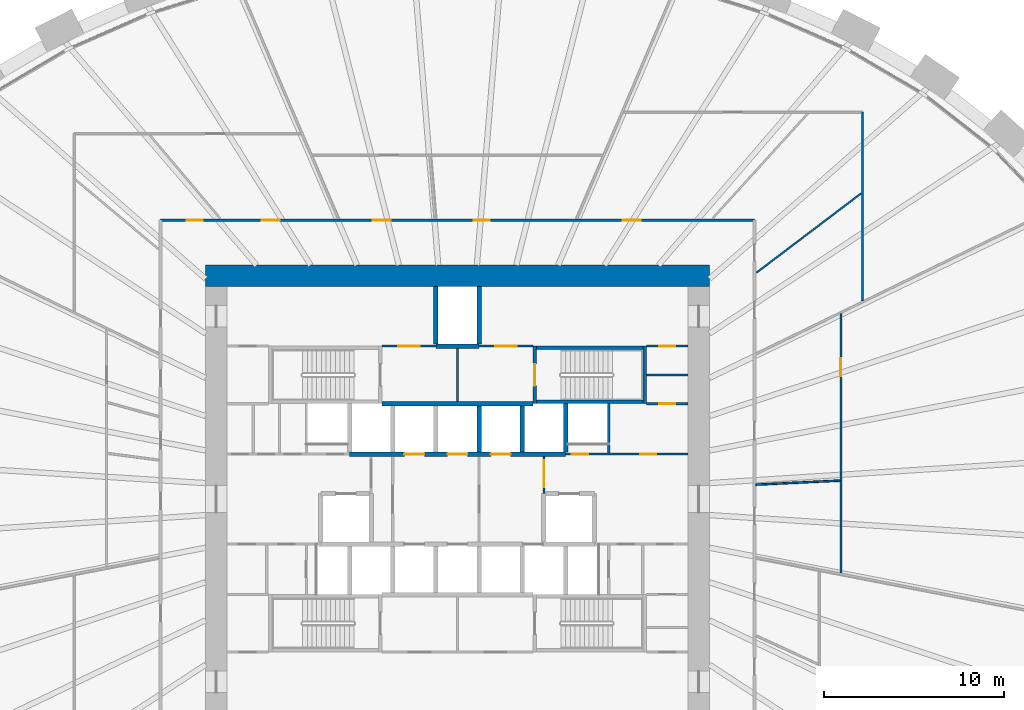
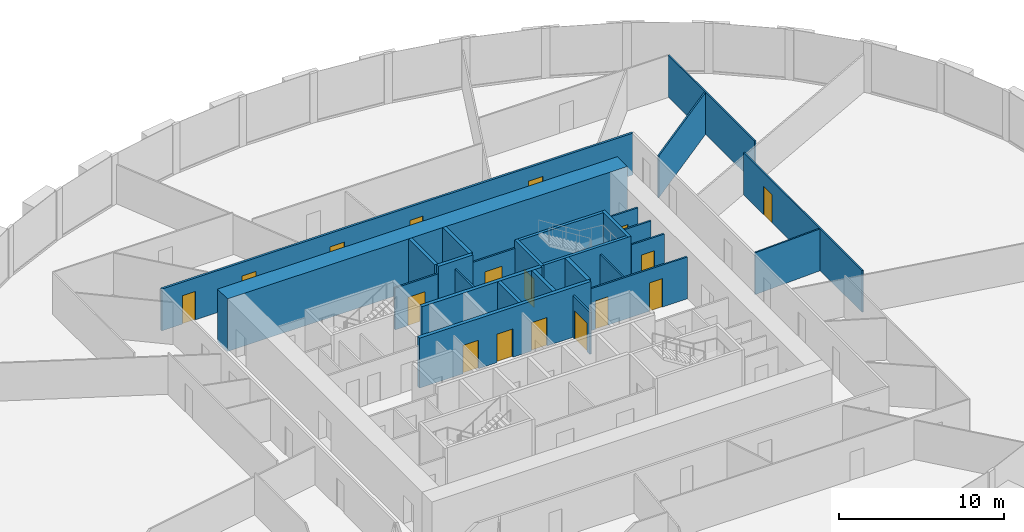
# One storey, part 9 of 11: 27 walls, 17 doors, 17 openings.
"""IFC4 building model written with IfcOpenShell, lengths in metres."""

from ifc_helpers import new_model, si_unit, direction, frame, frame_2d, origin, place, context, subcontext, project, spatial, rectangle, extrude, source, transform, mapped, material, layer, layer_set, type_object, element, fill, save


model = new_model("IFC4")

# Units and contexts
model_context = context("Model", 3, precision=1e-05, world=origin(), true_north=direction((0.0, 1.0)))
body_context = subcontext(model_context, "Body", "Model", "MODEL_VIEW")
ifc_project = project(units=[si_unit("LENGTHUNIT", "METRE"), si_unit("AREAUNIT", "SQUARE_METRE"), si_unit("VOLUMEUNIT", "CUBIC_METRE"), si_unit("PLANEANGLEUNIT", "RADIAN"), si_unit("MASSUNIT", "GRAM", prefix="KILO")], contexts=[model_context])

# Site, building, storey
site_placement = place(None, origin())
site = spatial("IfcSite", under=ifc_project, at=site_placement, CompositionType="ELEMENT")
building_placement = place(site_placement, origin())
building = spatial("IfcBuilding", under=site, at=building_placement, Name="Embergate Tower", CompositionType="ELEMENT")
storey_placement = place(building_placement, frame((0.0, 0.0, 109.39990234375)))
storey = spatial("IfcBuildingStorey", under=building, at=storey_placement, Name="L23", CompositionType="ELEMENT", Elevation=109.39990234375)

# Wall
ifc_material_1 = material(Name="Concrete C80", Category="concrete")
ifc_layer_1 = layer(ifc_material_1, 1.199951171875)
ifc_layer_set_1 = layer_set([ifc_layer_1], Name="Concrete C80")
wall_type_1 = type_object("IfcWallType", Name="Core outer wall C80 1200", PredefinedType="SHEAR", material=ifc_layer_set_1)
shared_shape_1 = source(origin(), body_context, "Body", "SweptSolid", [
    extrude(rectangle(XDim=28.0, YDim=1.199951171875, at=frame_2d((14.0, 0.0))), origin(), (0.0, 0.0, 1.0), 3.900146484375),
])
wall_1_placement = place(storey_placement, frame((-14.0, 12.39990234375, -0.199951171875), z_axis=(0.0, 0.0, 1.0), x_axis=(1.0, 0.0, 0.0)))
element("IfcWall", 1, at=wall_1_placement, inside=storey, type_object=wall_type_1, Name="CW-L23-N", PredefinedType="SHEAR", context=body_context, shape_type="MappedRepresentation", body=[
    mapped(shared_shape_1, transform((0.0, 0.0, 0.0))),
])

# Wall, openings, doors
ifc_material_2 = material(Name="Core partition blockwork 120")
ifc_layer_2 = layer(ifc_material_2, 0.1201171875)
ifc_layer_set_2 = layer_set([ifc_layer_2], Name="Core partition blockwork 120")
wall_type_2 = type_object("IfcWallType", Name="Core partition blockwork 120", PredefinedType="PARTITIONING", material=ifc_layer_set_2)
shared_shape_2 = source(origin(), body_context, "Body", "SweptSolid", [
    extrude(rectangle(XDim=6.800048828125, YDim=0.1201171875, at=frame_2d((3.39990234375, 0.0))), origin(), (0.0, 0.0, 1.0), 3.10009765625),
])
wall_2_placement = place(storey_placement, frame((6.0, 2.5, 0.0), z_axis=(0.0, 0.0, 1.0), x_axis=(1.0, 0.0, 0.0)))
wall_2 = element("IfcWall", 2, at=wall_2_placement, inside=storey, type_object=wall_type_2, Name="IP-3 wall", PredefinedType="PARTITIONING", context=body_context, shape_type="MappedRepresentation", body=[
    mapped(shared_shape_2, transform((0.0, 0.0, 0.0))),
])
shared_shape_3 = source(origin(), body_context, "Body", "SweptSolid", [
    extrude(rectangle(XDim=0.89990234375, YDim=2.10009765625, at=frame_2d((0.449951171875, 1.050048828125))), frame((0.0, 0.070068359375, 0.0), z_axis=(0.0, -1.0, 0.0), x_axis=(1.0, 0.0, 0.0)), (0.0, 0.0, 1.0), 0.14013671875),
])
opening_1_placement = place(wall_2_placement, frame((0.35009765625, 0.0, 0.0)))
opening_1 = element("IfcOpeningElement", 3, at=opening_1_placement, cuts=wall_2, Name="Opening ID-1", PredefinedType="OPENING", context=body_context, shape_type="MappedRepresentation", body=[
    mapped(shared_shape_3, transform((0.0, 0.0, 0.0))),
])
opening_2_placement = place(wall_2_placement, frame((4.14990234375, 0.0, 0.0)))
opening_2 = element("IfcOpeningElement", 4, at=opening_2_placement, cuts=wall_2, Name="Opening ID-1", PredefinedType="OPENING", context=body_context, shape_type="MappedRepresentation", body=[
    mapped(shared_shape_3, transform((0.0, 0.0, 0.0))),
])
ifc_material_3 = material(Name="Interior door 900")
door_type_1 = type_object("IfcDoorType", Name="Interior door 900", OperationType="SINGLE_SWING_LEFT", PredefinedType="DOOR", material=ifc_material_3)
shared_shape_4 = source(origin(), body_context, "Body", "SweptSolid", [
    extrude(rectangle(XDim=0.89990234375, YDim=2.10009765625, at=frame_2d((0.449951171875, 1.050048828125))), frame((0.0, 0.02490234375, 0.0), z_axis=(0.0, -1.0, 0.0), x_axis=(1.0, 0.0, 0.0)), (0.0, 0.0, 1.0), 0.050048828125),
])
door_1_placement = place(opening_1_placement, origin())
door_1 = element("IfcDoor", 5, at=door_1_placement, inside=storey, type_object=door_type_1, Name="ID-1 door", OperationType="SINGLE_SWING_RIGHT", OverallHeight=2.10009765625, OverallWidth=0.89990234375, PredefinedType="DOOR", context=body_context, shape_type="MappedRepresentation", body=[
    mapped(shared_shape_4, transform((0.0, 0.0, 0.0))),
])
fill(opening_1, door_1)
door_2_placement = place(opening_2_placement, origin())
door_2 = element("IfcDoor", 6, at=door_2_placement, inside=storey, type_object=door_type_1, Name="ID-1 door", OperationType="SINGLE_SWING_LEFT", OverallHeight=2.10009765625, OverallWidth=0.89990234375, PredefinedType="DOOR", context=body_context, shape_type="MappedRepresentation", body=[
    mapped(shared_shape_4, transform((0.0, 0.0, 0.0))),
])
fill(opening_2, door_2)

# Wall
shared_shape_5 = source(origin(), body_context, "Body", "SweptSolid", [
    extrude(rectangle(XDim=2.739990234375, YDim=0.1201171875, at=frame_2d((1.3701171875, 0.0))), origin(), (0.0, 0.0, 1.0), 3.10009765625),
])
wall_3_placement = place(storey_placement, frame((8.39990234375, 2.56005859375, 0.0), z_axis=(0.0, 0.0, 1.0), x_axis=(0.0, 1.0, 0.0)))
element("IfcWall", 7, at=wall_3_placement, inside=storey, type_object=wall_type_2, Name="IP-3 wall", PredefinedType="PARTITIONING", context=body_context, shape_type="MappedRepresentation", body=[
    mapped(shared_shape_5, transform((0.0, 0.0, 0.0))),
])

# Wall, opening, door
shared_shape_6 = source(origin(), body_context, "Body", "SweptSolid", [
    extrude(rectangle(XDim=2.074951171875, YDim=0.1201171875, at=frame_2d((1.03759765625, 0.0))), origin(), (0.0, 0.0, 1.0), 3.10009765625),
])
wall_4_placement = place(storey_placement, frame((4.800048828125, 0.300048828125, 0.0), z_axis=(0.0, 0.0, 1.0), x_axis=(0.0, 1.0, 0.0)))
wall_4 = element("IfcWall", 8, at=wall_4_placement, inside=storey, type_object=wall_type_2, Name="IP-3 wall", PredefinedType="PARTITIONING", context=body_context, shape_type="MappedRepresentation", body=[
    mapped(shared_shape_6, transform((0.0, 0.0, 0.0))),
])
shared_shape_7 = source(origin(), body_context, "Body", "SweptSolid", [
    extrude(rectangle(XDim=1.5, YDim=2.10009765625, at=frame_2d((0.75, 1.050048828125))), frame((0.0, 0.070068359375, 0.0), z_axis=(0.0, -1.0, 0.0), x_axis=(1.0, 0.0, 0.0)), (0.0, 0.0, 1.0), 0.14013671875),
])
opening_3_placement = place(wall_4_placement, frame((0.35009765625, 0.0, 0.0)))
opening_3 = element("IfcOpeningElement", 9, at=opening_3_placement, cuts=wall_4, Name="Opening IF-3", PredefinedType="OPENING", context=body_context, shape_type="MappedRepresentation", body=[
    mapped(shared_shape_7, transform((0.0, 0.0, 0.0))),
])
ifc_material_4 = material(Name="Lobby fire door pair 1500")
door_type_2 = type_object("IfcDoorType", Name="Lobby fire door pair 1500", OperationType="DOUBLE_DOOR_SINGLE_SWING", PredefinedType="DOOR", material=ifc_material_4)
shared_shape_8 = source(origin(), body_context, "Body", "SweptSolid", [
    extrude(rectangle(XDim=1.5, YDim=2.10009765625, at=frame_2d((0.75, 1.050048828125))), frame((0.0, 0.02490234375, 0.0), z_axis=(0.0, -1.0, 0.0), x_axis=(1.0, 0.0, 0.0)), (0.0, 0.0, 1.0), 0.050048828125),
])
door_3_placement = place(opening_3_placement, origin())
door_3 = element("IfcDoor", 10, at=door_3_placement, inside=storey, type_object=door_type_2, Name="IF-3 door", OperationType="DOUBLE_DOOR_SINGLE_SWING", OverallHeight=2.10009765625, OverallWidth=1.5, PredefinedType="DOOR", context=body_context, shape_type="MappedRepresentation", body=[
    mapped(shared_shape_8, transform((0.0, 0.0, 0.0))),
])
fill(opening_3, door_3)

# Wall
shared_shape_9 = source(origin(), body_context, "Body", "SweptSolid", [
    extrude(rectangle(XDim=2.949951171875, YDim=0.1201171875, at=frame_2d((1.47509765625, 0.0))), origin(), (0.0, 0.0, 1.0), 3.10009765625),
])
wall_5_placement = place(storey_placement, frame((0.0, 5.425048828125, 0.0), z_axis=(0.0, 0.0, 1.0), x_axis=(0.0, 1.0, 0.0)))
element("IfcWall", 11, at=wall_5_placement, inside=storey, type_object=wall_type_2, Name="IP-3 wall", PredefinedType="PARTITIONING", context=body_context, shape_type="MappedRepresentation", body=[
    mapped(shared_shape_9, transform((0.0, 0.0, 0.0))),
])

# Wall, opening, door
shared_shape_10 = source(origin(), body_context, "Body", "SweptSolid", [
    extrude(rectangle(XDim=3.0, YDim=0.1201171875, at=frame_2d((1.5, 0.0))), origin(), (0.0, 0.0, 1.0), 3.10009765625),
])
wall_6_placement = place(storey_placement, frame((-1.199951171875, 8.5, 0.0), z_axis=(0.0, 0.0, 1.0), x_axis=(-1.0, 0.0, 0.0)))
wall_6 = element("IfcWall", 12, at=wall_6_placement, inside=storey, type_object=wall_type_2, Name="IP-3 wall", PredefinedType="PARTITIONING", context=body_context, shape_type="MappedRepresentation", body=[
    mapped(shared_shape_10, transform((0.0, 0.0, 0.0))),
])
shared_shape_11 = source(origin(), body_context, "Body", "SweptSolid", [
    extrude(rectangle(XDim=1.199951171875, YDim=2.10009765625, at=frame_2d((0.60009765625, 1.050048828125))), frame((0.0, 0.070068359375, 0.0), z_axis=(0.0, -1.0, 0.0), x_axis=(1.0, 0.0, 0.0)), (0.0, 0.0, 1.0), 0.14013671875),
])
opening_4_placement = place(wall_6_placement, frame((0.89990234375, 0.0, 0.0)))
opening_4 = element("IfcOpeningElement", 13, at=opening_4_placement, cuts=wall_6, Name="Opening IF-3f", PredefinedType="OPENING", context=body_context, shape_type="MappedRepresentation", body=[
    mapped(shared_shape_11, transform((0.0, 0.0, 0.0))),
])
ifc_material_5 = material(Name="Lobby fire door pair 1200")
door_type_3 = type_object("IfcDoorType", Name="Lobby fire door pair 1200", OperationType="DOUBLE_DOOR_SINGLE_SWING", PredefinedType="DOOR", material=ifc_material_5)
shared_shape_12 = source(origin(), body_context, "Body", "SweptSolid", [
    extrude(rectangle(XDim=1.199951171875, YDim=2.10009765625, at=frame_2d((0.60009765625, 1.050048828125))), frame((0.0, 0.02490234375, 0.0), z_axis=(0.0, -1.0, 0.0), x_axis=(1.0, 0.0, 0.0)), (0.0, 0.0, 1.0), 0.050048828125),
])
door_4_placement = place(opening_4_placement, origin())
door_4 = element("IfcDoor", 14, at=door_4_placement, inside=storey, type_object=door_type_3, Name="IF-3 door", OperationType="DOUBLE_DOOR_SINGLE_SWING", OverallHeight=2.10009765625, OverallWidth=1.199951171875, PredefinedType="DOOR", context=body_context, shape_type="MappedRepresentation", body=[
    mapped(shared_shape_12, transform((0.0, 0.0, 0.0))),
])
fill(opening_4, door_4)

wall_7_placement = place(storey_placement, frame((4.199951171875, 8.5, 0.0), z_axis=(0.0, 0.0, 1.0), x_axis=(-1.0, 0.0, 0.0)))
wall_7 = element("IfcWall", 15, at=wall_7_placement, inside=storey, type_object=wall_type_2, Name="IP-3 wall", PredefinedType="PARTITIONING", context=body_context, shape_type="MappedRepresentation", body=[
    mapped(shared_shape_10, transform((0.0, 0.0, 0.0))),
])
opening_5_placement = place(wall_7_placement, frame((0.89990234375, 0.0, 0.0)))
opening_5 = element("IfcOpeningElement", 16, at=opening_5_placement, cuts=wall_7, Name="Opening IF-3f", PredefinedType="OPENING", context=body_context, shape_type="MappedRepresentation", body=[
    mapped(shared_shape_11, transform((0.0, 0.0, 0.0))),
])
door_5_placement = place(opening_5_placement, origin())
door_5 = element("IfcDoor", 17, at=door_5_placement, inside=storey, type_object=door_type_3, Name="IF-3 door", OperationType="DOUBLE_DOOR_SINGLE_SWING", OverallHeight=2.10009765625, OverallWidth=1.199951171875, PredefinedType="DOOR", context=body_context, shape_type="MappedRepresentation", body=[
    mapped(shared_shape_12, transform((0.0, 0.0, 0.0))),
])
fill(opening_5, door_5)

shared_shape_13 = source(origin(), body_context, "Body", "SweptSolid", [
    extrude(rectangle(XDim=2.300048828125, YDim=0.1201171875, at=frame_2d((1.14990234375, 0.0))), origin(), (0.0, 0.0, 1.0), 3.10009765625),
])
wall_8_placement = place(storey_placement, frame((10.5, 8.5, 0.0), z_axis=(0.0, 0.0, 1.0), x_axis=(1.0, 0.0, 0.0)))
wall_8 = element("IfcWall", 18, at=wall_8_placement, inside=storey, type_object=wall_type_2, Name="IP-3 wall", PredefinedType="PARTITIONING", context=body_context, shape_type="MappedRepresentation", body=[
    mapped(shared_shape_13, transform((0.0, 0.0, 0.0))),
])
opening_6_placement = place(wall_8_placement, frame((0.699951171875, 0.0, 0.0)))
opening_6 = element("IfcOpeningElement", 19, at=opening_6_placement, cuts=wall_8, Name="Opening ID-1", PredefinedType="OPENING", context=body_context, shape_type="MappedRepresentation", body=[
    mapped(shared_shape_3, transform((0.0, 0.0, 0.0))),
])
door_6_placement = place(opening_6_placement, origin())
door_6 = element("IfcDoor", 20, at=door_6_placement, inside=storey, type_object=door_type_1, Name="ID-1 door", OperationType="SINGLE_SWING_RIGHT", OverallHeight=2.10009765625, OverallWidth=0.89990234375, PredefinedType="DOOR", context=body_context, shape_type="MappedRepresentation", body=[
    mapped(shared_shape_4, transform((0.0, 0.0, 0.0))),
])
fill(opening_6, door_6)

wall_9_placement = place(storey_placement, frame((12.800048828125, 5.300048828125, 0.0), z_axis=(0.0, 0.0, 1.0), x_axis=(-1.0, 0.0, 0.0)))
wall_9 = element("IfcWall", 21, at=wall_9_placement, inside=storey, type_object=wall_type_2, Name="IP-3 wall", PredefinedType="PARTITIONING", context=body_context, shape_type="MappedRepresentation", body=[
    mapped(shared_shape_13, transform((0.0, 0.0, 0.0))),
])
opening_7_placement = place(wall_9_placement, frame((0.699951171875, 0.0, 0.0)))
opening_7 = element("IfcOpeningElement", 22, at=opening_7_placement, cuts=wall_9, Name="Opening ID-1", PredefinedType="OPENING", context=body_context, shape_type="MappedRepresentation", body=[
    mapped(shared_shape_3, transform((0.0, 0.0, 0.0))),
])
door_7_placement = place(opening_7_placement, origin())
door_7 = element("IfcDoor", 23, at=door_7_placement, inside=storey, type_object=door_type_1, Name="ID-1 door", OperationType="SINGLE_SWING_LEFT", OverallHeight=2.10009765625, OverallWidth=0.89990234375, PredefinedType="DOOR", context=body_context, shape_type="MappedRepresentation", body=[
    mapped(shared_shape_4, transform((0.0, 0.0, 0.0))),
])
fill(opening_7, door_7)

# Walls
wall_10_placement = place(storey_placement, frame((12.800048828125, 6.89990234375, 0.0), z_axis=(0.0, 0.0, 1.0), x_axis=(-1.0, 0.0, 0.0)))
element("IfcWall", 24, at=wall_10_placement, inside=storey, type_object=wall_type_2, Name="IP-3 wall", PredefinedType="PARTITIONING", context=body_context, shape_type="MappedRepresentation", body=[
    mapped(shared_shape_13, transform((0.0, 0.0, 0.0))),
])
ifc_material_6 = material(Name="Concrete C50", Category="concrete")
ifc_layer_3 = layer(ifc_material_6, 0.25)
ifc_layer_set_3 = layer_set([ifc_layer_3], Name="Concrete C50")
wall_type_3 = type_object("IfcWallType", Name="Hoistway wall reinforced concrete 250", PredefinedType="SHEAR", material=ifc_layer_set_3)
shared_shape_14 = source(origin(), body_context, "Body", "SweptSolid", [
    extrude(rectangle(XDim=2.675048828125, YDim=0.25, at=frame_2d((1.33740234375, 0.0))), origin(), (0.0, 0.0, 1.0), 3.7001953125),
])
wall_11_placement = place(storey_placement, frame((6.0, 2.625, 0.0), z_axis=(0.0, 0.0, 1.0), x_axis=(0.0, 1.0, 0.0)))
element("IfcWall", 25, at=wall_11_placement, inside=storey, type_object=wall_type_3, Name="HW-1 wall", PredefinedType="SHEAR", context=body_context, shape_type="MappedRepresentation", body=[
    mapped(shared_shape_14, transform((0.0, 0.0, 0.0))),
])
ifc_layer_4 = layer(ifc_material_6, 0.199951171875)
ifc_layer_set_4 = layer_set([ifc_layer_4], Name="Concrete C50")
wall_type_4 = type_object("IfcWallType", Name="Stair enclosure wall reinforced concrete 250", PredefinedType="SHEAR", material=ifc_layer_set_4)
shared_shape_15 = source(origin(), body_context, "Body", "SweptSolid", [
    extrude(rectangle(XDim=6.300048828125, YDim=0.199951171875, at=frame_2d((3.14990234375, 0.0))), origin(), (0.0, 0.0, 1.0), 3.7001953125),
])
for number, where, z_axis, x_axis, name in (
    (26, (10.5, 5.39990234375, 0.0), (0.0, 0.0, 1.0), (-1.0, 0.0, 0.0), "SE-1 wall"),
    (27, (10.5, 8.39990234375, 0.0), (0.0, 0.0, 1.0), (-1.0, 0.0, 0.0), "SE-1 wall"),
):
    element("IfcWall", number, at=place(storey_placement, frame(where, z_axis=z_axis, x_axis=x_axis)), inside=storey, type_object=wall_type_4, Name=name, PredefinedType="SHEAR", context=body_context, shape_type="MappedRepresentation", body=[
        mapped(shared_shape_15, transform((0.0, 0.0, 0.0))),
    ])
shared_shape_16 = source(origin(), body_context, "Body", "SweptSolid", [
    extrude(rectangle(XDim=2.550048828125, YDim=0.25, at=frame_2d((1.27490234375, 0.0))), origin(), (0.0, 0.0, 1.0), 3.7001953125),
])
for number, where, z_axis, x_axis, name in (
    (28, (1.199951171875, 2.625, 0.0), (0.0, 0.0, 1.0), (0.0, 1.0, 0.0), "HW-1 wall"),
    (29, (3.60009765625, 2.625, 0.0), (0.0, 0.0, 1.0), (0.0, 1.0, 0.0), "HW-1 wall"),
):
    element("IfcWall", number, at=place(storey_placement, frame(where, z_axis=z_axis, x_axis=x_axis)), inside=storey, type_object=wall_type_3, Name=name, PredefinedType="SHEAR", context=body_context, shape_type="MappedRepresentation", body=[
        mapped(shared_shape_16, transform((0.0, 0.0, 0.0))),
    ])

# Wall, openings, doors
shared_shape_17 = source(origin(), body_context, "Body", "SweptSolid", [
    extrude(rectangle(XDim=12.0, YDim=0.25, at=frame_2d((6.0, 0.0))), origin(), (0.0, 0.0, 1.0), 3.7001953125),
])
wall_12_placement = place(storey_placement, frame((-6.0, 2.5, 0.0), z_axis=(0.0, 0.0, 1.0), x_axis=(1.0, 0.0, 0.0)))
wall_12 = element("IfcWall", 30, at=wall_12_placement, inside=storey, type_object=wall_type_3, Name="HW-1 wall", PredefinedType="SHEAR", context=body_context, shape_type="MappedRepresentation", body=[
    mapped(shared_shape_17, transform((0.0, 0.0, 0.0))),
])
shared_shape_18 = source(origin(), body_context, "Body", "SweptSolid", [
    extrude(rectangle(XDim=1.10009765625, YDim=2.10009765625, at=frame_2d((0.550048828125, 1.050048828125))), frame((0.0, 0.135009765625, 0.0), z_axis=(0.0, -1.0, 0.0), x_axis=(1.0, 0.0, 0.0)), (0.0, 0.0, 1.0), 0.27001953125),
])
opening_8_placement = place(wall_12_placement, frame((3.050048828125, 0.0, 0.0)))
opening_8 = element("IfcOpeningElement", 31, at=opening_8_placement, cuts=wall_12, Name="Opening LD", PredefinedType="OPENING", context=body_context, shape_type="MappedRepresentation", body=[
    mapped(shared_shape_18, transform((0.0, 0.0, 0.0))),
])
opening_9_placement = place(wall_12_placement, frame((5.449951171875, 0.0, 0.0)))
opening_9 = element("IfcOpeningElement", 32, at=opening_9_placement, cuts=wall_12, Name="Opening LD", PredefinedType="OPENING", context=body_context, shape_type="MappedRepresentation", body=[
    mapped(shared_shape_18, transform((0.0, 0.0, 0.0))),
])
opening_10_placement = place(wall_12_placement, frame((7.85009765625, 0.0, 0.0)))
opening_10 = element("IfcOpeningElement", 33, at=opening_10_placement, cuts=wall_12, Name="Opening LD", PredefinedType="OPENING", context=body_context, shape_type="MappedRepresentation", body=[
    mapped(shared_shape_18, transform((0.0, 0.0, 0.0))),
])
ifc_material_7 = material(Name="Landing door sliding 1100")
door_type_4 = type_object("IfcDoorType", Name="Landing door sliding 1100", OperationType="SLIDING_TO_LEFT", PredefinedType="DOOR", material=ifc_material_7)
shared_shape_19 = source(origin(), body_context, "Body", "SweptSolid", [
    extrude(rectangle(XDim=1.10009765625, YDim=2.10009765625, at=frame_2d((0.550048828125, 1.050048828125))), frame((0.0, 0.02490234375, 0.0), z_axis=(0.0, -1.0, 0.0), x_axis=(1.0, 0.0, 0.0)), (0.0, 0.0, 1.0), 0.050048828125),
])
door_8_placement = place(opening_8_placement, origin())
door_8 = element("IfcDoor", 34, at=door_8_placement, inside=storey, type_object=door_type_4, Name="LD door", OperationType="SLIDING_TO_RIGHT", OverallHeight=2.10009765625, OverallWidth=1.10009765625, PredefinedType="DOOR", context=body_context, shape_type="MappedRepresentation", body=[
    mapped(shared_shape_19, transform((0.0, 0.0, 0.0))),
])
fill(opening_8, door_8)
door_9_placement = place(opening_9_placement, origin())
door_9 = element("IfcDoor", 35, at=door_9_placement, inside=storey, type_object=door_type_4, Name="LD door", OperationType="SLIDING_TO_RIGHT", OverallHeight=2.10009765625, OverallWidth=1.10009765625, PredefinedType="DOOR", context=body_context, shape_type="MappedRepresentation", body=[
    mapped(shared_shape_19, transform((0.0, 0.0, 0.0))),
])
fill(opening_9, door_9)
door_10_placement = place(opening_10_placement, origin())
door_10 = element("IfcDoor", 36, at=door_10_placement, inside=storey, type_object=door_type_4, Name="LD door", OperationType="SLIDING_TO_LEFT", OverallHeight=2.10009765625, OverallWidth=1.10009765625, PredefinedType="DOOR", context=body_context, shape_type="MappedRepresentation", body=[
    mapped(shared_shape_19, transform((0.0, 0.0, 0.0))),
])
fill(opening_10, door_10)

# Wall
shared_shape_20 = source(origin(), body_context, "Body", "SweptSolid", [
    extrude(rectangle(XDim=8.39990234375, YDim=0.25, at=frame_2d((4.199951171875, 0.0))), origin(), (0.0, 0.0, 1.0), 3.7001953125),
])
wall_13_placement = place(storey_placement, frame((4.199951171875, 5.300048828125, 0.0), z_axis=(0.0, 0.0, 1.0), x_axis=(-1.0, 0.0, 0.0)))
element("IfcWall", 37, at=wall_13_placement, inside=storey, type_object=wall_type_3, Name="HW-1 wall", PredefinedType="SHEAR", context=body_context, shape_type="MappedRepresentation", body=[
    mapped(shared_shape_20, transform((0.0, 0.0, 0.0))),
])

# Wall, opening, door
shared_shape_21 = source(origin(), body_context, "Body", "SweptSolid", [
    extrude(rectangle(XDim=3.199951171875, YDim=0.199951171875, at=frame_2d((1.60009765625, 0.0))), origin(), (0.0, 0.0, 1.0), 3.7001953125),
])
wall_14_placement = place(storey_placement, frame((4.300048828125, 8.5, 0.0), z_axis=(0.0, 0.0, 1.0), x_axis=(0.0, -1.0, 0.0)))
wall_14 = element("IfcWall", 38, at=wall_14_placement, inside=storey, type_object=wall_type_4, Name="SE-1 wall", PredefinedType="SHEAR", context=body_context, shape_type="MappedRepresentation", body=[
    mapped(shared_shape_21, transform((0.0, 0.0, 0.0))),
])
shared_shape_22 = source(origin(), body_context, "Body", "SweptSolid", [
    extrude(rectangle(XDim=1.199951171875, YDim=2.10009765625, at=frame_2d((0.60009765625, 1.050048828125))), frame((0.0, 0.10986328125, 0.0), z_axis=(0.0, -1.0, 0.0), x_axis=(1.0, 0.0, 0.0)), (0.0, 0.0, 1.0), 0.219970703125),
])
opening_11_placement = place(wall_14_placement, frame((1.0, 0.0, 0.0)))
opening_11 = element("IfcOpeningElement", 39, at=opening_11_placement, cuts=wall_14, Name="Opening IF-2", PredefinedType="OPENING", context=body_context, shape_type="MappedRepresentation", body=[
    mapped(shared_shape_22, transform((0.0, 0.0, 0.0))),
])
ifc_material_8 = material(Name="Stair enclosure door 1200")
door_type_5 = type_object("IfcDoorType", Name="Stair enclosure door 1200", OperationType="SINGLE_SWING_LEFT", PredefinedType="DOOR", material=ifc_material_8)
door_11_placement = place(opening_11_placement, origin())
door_11 = element("IfcDoor", 40, at=door_11_placement, inside=storey, type_object=door_type_5, Name="IF-2 door", OperationType="SINGLE_SWING_LEFT", OverallHeight=2.10009765625, OverallWidth=1.199951171875, PredefinedType="DOOR", context=body_context, shape_type="MappedRepresentation", body=[
    mapped(shared_shape_12, transform((0.0, 0.0, 0.0))),
])
fill(opening_11, door_11)

# Walls
wall_15_placement = place(storey_placement, frame((10.39990234375, 5.300048828125, 0.0), z_axis=(0.0, 0.0, 1.0), x_axis=(0.0, 1.0, 0.0)))
element("IfcWall", 41, at=wall_15_placement, inside=storey, type_object=wall_type_4, Name="SE-1 wall", PredefinedType="SHEAR", context=body_context, shape_type="MappedRepresentation", body=[
    mapped(shared_shape_21, transform((0.0, 0.0, 0.0))),
])
shared_shape_23 = source(origin(), body_context, "Body", "SweptSolid", [
    extrude(rectangle(XDim=2.39990234375, YDim=0.25, at=frame_2d((1.199951171875, 0.0))), origin(), (0.0, 0.0, 1.0), 3.7001953125),
])
wall_16_placement = place(storey_placement, frame((1.199951171875, 8.5, 0.0), z_axis=(0.0, 0.0, 1.0), x_axis=(-1.0, 0.0, 0.0)))
element("IfcWall", 42, at=wall_16_placement, inside=storey, type_object=wall_type_3, Name="HW-1 wall", PredefinedType="SHEAR", context=body_context, shape_type="MappedRepresentation", body=[
    mapped(shared_shape_23, transform((0.0, 0.0, 0.0))),
])
shared_shape_24 = source(origin(), body_context, "Body", "SweptSolid", [
    extrude(rectangle(XDim=3.175048828125, YDim=0.25, at=frame_2d((1.58740234375, 0.0))), origin(), (0.0, 0.0, 1.0), 3.7001953125),
])
for number, where, z_axis, x_axis, name in (
    (43, (-1.199951171875, 8.625, 0.0), (0.0, 0.0, 1.0), (0.0, 1.0, 0.0), "HW-1 wall"),
    (44, (1.199951171875, 11.800048828125, 0.0), (0.0, 0.0, 1.0), (0.0, -1.0, 0.0), "HW-1 wall"),
):
    element("IfcWall", number, at=place(storey_placement, frame(where, z_axis=z_axis, x_axis=x_axis)), inside=storey, type_object=wall_type_3, Name=name, PredefinedType="SHEAR", context=body_context, shape_type="MappedRepresentation", body=[
        mapped(shared_shape_24, transform((0.0, 0.0, 0.0))),
    ])

# Wall, openings, doors
ifc_material_9 = material(Name="Corridor wall dry-lined 150")
ifc_layer_5 = layer(ifc_material_9, 0.14990234375)
ifc_layer_set_5 = layer_set([ifc_layer_5], Name="Corridor wall dry-lined 150")
wall_type_5 = type_object("IfcWallType", Name="Corridor wall dry-lined 150", PredefinedType="PARTITIONING", material=ifc_layer_set_5)
shared_shape_25 = source(origin(), body_context, "Body", "SweptSolid", [
    extrude(rectangle(XDim=33.0, YDim=0.14990234375, at=frame_2d((16.5, 0.0))), origin(), (0.0, 0.0, 1.0), 3.10009765625),
])
wall_17_placement = place(storey_placement, frame((-16.5, 15.5, 0.0), z_axis=(0.0, 0.0, 1.0), x_axis=(1.0, 0.0, 0.0)))
wall_17 = element("IfcWall", 45, at=wall_17_placement, inside=storey, type_object=wall_type_5, Name="IP-2 wall", PredefinedType="PARTITIONING", context=body_context, shape_type="MappedRepresentation", body=[
    mapped(shared_shape_25, transform((0.0, 0.0, 0.0))),
])
shared_shape_26 = source(origin(), body_context, "Body", "SweptSolid", [
    extrude(rectangle(XDim=1.0, YDim=2.10009765625, at=frame_2d((0.5, 1.050048828125))), frame((0.0, 0.0849609375, 0.0), z_axis=(0.0, -1.0, 0.0), x_axis=(1.0, 0.0, 0.0)), (0.0, 0.0, 1.0), 0.169921875),
])
opening_12_placement = place(wall_17_placement, frame((25.69091796875, 0.0, 0.0)))
opening_12 = element("IfcOpeningElement", 46, at=opening_12_placement, cuts=wall_17, Name="Opening ID-2", PredefinedType="OPENING", context=body_context, shape_type="MappedRepresentation", body=[
    mapped(shared_shape_26, transform((0.0, 0.0, 0.0))),
])
shared_shape_27 = source(origin(), body_context, "Body", "SweptSolid", [
    extrude(rectangle(XDim=0.89990234375, YDim=2.10009765625, at=frame_2d((0.449951171875, 1.050048828125))), frame((0.0, 0.0849609375, 0.0), z_axis=(0.0, -1.0, 0.0), x_axis=(1.0, 0.0, 0.0)), (0.0, 0.0, 1.0), 0.169921875),
])
opening_13_placement = place(wall_17_placement, frame((17.389892578125, 0.0, 0.0)))
opening_13 = element("IfcOpeningElement", 47, at=opening_13_placement, cuts=wall_17, Name="Opening IF-1c", PredefinedType="OPENING", context=body_context, shape_type="MappedRepresentation", body=[
    mapped(shared_shape_27, transform((0.0, 0.0, 0.0))),
])
opening_14_placement = place(wall_17_placement, frame((11.777099609375, 0.0, 0.0)))
opening_14 = element("IfcOpeningElement", 48, at=opening_14_placement, cuts=wall_17, Name="Opening ID-2", PredefinedType="OPENING", context=body_context, shape_type="MappedRepresentation", body=[
    mapped(shared_shape_26, transform((0.0, 0.0, 0.0))),
])
opening_15_placement = place(wall_17_placement, frame((5.610107421875, 0.0, 0.0)))
opening_15 = element("IfcOpeningElement", 49, at=opening_15_placement, cuts=wall_17, Name="Opening ID-2", PredefinedType="OPENING", context=body_context, shape_type="MappedRepresentation", body=[
    mapped(shared_shape_26, transform((0.0, 0.0, 0.0))),
])
opening_16_placement = place(wall_17_placement, frame((1.4560546875, 0.0, 0.0)))
opening_16 = element("IfcOpeningElement", 50, at=opening_16_placement, cuts=wall_17, Name="Opening IF-1c", PredefinedType="OPENING", context=body_context, shape_type="MappedRepresentation", body=[
    mapped(shared_shape_27, transform((0.0, 0.0, 0.0))),
])
ifc_material_10 = material(Name="Escape fire door 900")
door_type_6 = type_object("IfcDoorType", Name="Escape fire door 900", OperationType="SINGLE_SWING_LEFT", PredefinedType="DOOR", material=ifc_material_10)
door_12_placement = place(opening_13_placement, origin())
door_12 = element("IfcDoor", 51, at=door_12_placement, inside=storey, type_object=door_type_6, Name="IF-1 door", OperationType="SINGLE_SWING_LEFT", OverallHeight=2.10009765625, OverallWidth=0.89990234375, PredefinedType="DOOR", context=body_context, shape_type="MappedRepresentation", body=[
    mapped(shared_shape_4, transform((0.0, 0.0, 0.0))),
])
fill(opening_13, door_12)
door_13_placement = place(opening_16_placement, origin())
door_13 = element("IfcDoor", 52, at=door_13_placement, inside=storey, type_object=door_type_6, Name="IF-1 door", OperationType="SINGLE_SWING_RIGHT", OverallHeight=2.10009765625, OverallWidth=0.89990234375, PredefinedType="DOOR", context=body_context, shape_type="MappedRepresentation", body=[
    mapped(shared_shape_4, transform((0.0, 0.0, 0.0))),
])
fill(opening_16, door_13)
ifc_material_11 = material(Name="Interior door 1000")
door_type_7 = type_object("IfcDoorType", Name="Interior door 1000", OperationType="SINGLE_SWING_LEFT", PredefinedType="DOOR", material=ifc_material_11)
shared_shape_28 = source(origin(), body_context, "Body", "SweptSolid", [
    extrude(rectangle(XDim=1.0, YDim=2.10009765625, at=frame_2d((0.5, 1.050048828125))), frame((0.0, 0.02490234375, 0.0), z_axis=(0.0, -1.0, 0.0), x_axis=(1.0, 0.0, 0.0)), (0.0, 0.0, 1.0), 0.050048828125),
])
door_14_placement = place(opening_12_placement, origin())
door_14 = element("IfcDoor", 53, at=door_14_placement, inside=storey, type_object=door_type_7, Name="ID-2 door", OperationType="SINGLE_SWING_RIGHT", OverallHeight=2.10009765625, OverallWidth=1.0, PredefinedType="DOOR", context=body_context, shape_type="MappedRepresentation", body=[
    mapped(shared_shape_28, transform((0.0, 0.0, 0.0))),
])
fill(opening_12, door_14)
door_15_placement = place(opening_14_placement, origin())
door_15 = element("IfcDoor", 54, at=door_15_placement, inside=storey, type_object=door_type_7, Name="ID-2 door", OperationType="SINGLE_SWING_LEFT", OverallHeight=2.10009765625, OverallWidth=1.0, PredefinedType="DOOR", context=body_context, shape_type="MappedRepresentation", body=[
    mapped(shared_shape_28, transform((0.0, 0.0, 0.0))),
])
fill(opening_14, door_15)
door_16_placement = place(opening_15_placement, origin())
door_16 = element("IfcDoor", 55, at=door_16_placement, inside=storey, type_object=door_type_7, Name="ID-2 door", OperationType="SINGLE_SWING_RIGHT", OverallHeight=2.10009765625, OverallWidth=1.0, PredefinedType="DOOR", context=body_context, shape_type="MappedRepresentation", body=[
    mapped(shared_shape_28, transform((0.0, 0.0, 0.0))),
])
fill(opening_15, door_16)

# Wall
ifc_material_12 = material(Name="Partition dry-lined 100")
ifc_layer_6 = layer(ifc_material_12, 0.10009765625)
ifc_layer_set_6 = layer_set([ifc_layer_6], Name="Partition dry-lined 100")
wall_type_6 = type_object("IfcWallType", Name="Partition dry-lined 100", PredefinedType="PARTITIONING", material=ifc_layer_set_6)
shared_shape_29 = source(origin(), body_context, "Body", "SweptSolid", [
    extrude(rectangle(XDim=4.6806640625, YDim=0.10009765625, at=frame_2d((2.34033203125, 0.0))), origin(), (0.0, 0.0, 1.0), 3.10009765625),
])
wall_18_placement = place(storey_placement, frame((21.25, 1.031005859375, 0.0), z_axis=(0.0, 0.0, 1.0), x_axis=(-0.998822729524, -0.048509328866, 0.0)))
element("IfcWall", 56, at=wall_18_placement, inside=storey, type_object=wall_type_6, Name="IP-1 wall", PredefinedType="PARTITIONING", context=body_context, shape_type="MappedRepresentation", body=[
    mapped(shared_shape_29, transform((0.0, 0.0, 0.0))),
])

# Wall, opening, door
shared_shape_30 = source(origin(), body_context, "Body", "SweptSolid", [
    extrude(rectangle(XDim=14.38818359375, YDim=0.10009765625, at=frame_2d((7.194091796875, 0.0))), origin(), (0.0, 0.0, 1.0), 3.10009765625),
])
wall_19_placement = place(storey_placement, frame((21.300048828125, -4.10009765625, 0.0), z_axis=(0.0, 0.0, 1.0), x_axis=(0.0, 1.0, 0.0)))
wall_19 = element("IfcWall", 57, at=wall_19_placement, inside=storey, type_object=wall_type_6, Name="IP-1 wall", PredefinedType="PARTITIONING", context=body_context, shape_type="MappedRepresentation", body=[
    mapped(shared_shape_30, transform((0.0, 0.0, 0.0))),
])
shared_shape_31 = source(origin(), body_context, "Body", "SweptSolid", [
    extrude(rectangle(XDim=1.0, YDim=2.10009765625, at=frame_2d((0.5, 1.050048828125))), frame((0.0, 0.06005859375, 0.0), z_axis=(0.0, -1.0, 0.0), x_axis=(1.0, 0.0, 0.0)), (0.0, 0.0, 1.0), 0.1201171875),
])
opening_17_placement = place(wall_19_placement, frame((10.925048828125, 0.0, 0.0)))
opening_17 = element("IfcOpeningElement", 58, at=opening_17_placement, cuts=wall_19, Name="Opening ID-2", PredefinedType="OPENING", context=body_context, shape_type="MappedRepresentation", body=[
    mapped(shared_shape_31, transform((0.0, 0.0, 0.0))),
])
door_17_placement = place(opening_17_placement, origin())
door_17 = element("IfcDoor", 59, at=door_17_placement, inside=storey, type_object=door_type_7, Name="ID-2 door", OperationType="SINGLE_SWING_LEFT", OverallHeight=2.10009765625, OverallWidth=1.0, PredefinedType="DOOR", context=body_context, shape_type="MappedRepresentation", body=[
    mapped(shared_shape_28, transform((0.0, 0.0, 0.0))),
])
fill(opening_17, door_17)

# Walls
shared_shape_32 = source(origin(), body_context, "Body", "SweptSolid", [
    extrude(rectangle(XDim=7.294921875, YDim=0.10009765625, at=frame_2d((3.6474609375, 0.0))), origin(), (0.0, 0.0, 1.0), 3.10009765625),
])
wall_20_placement = place(storey_placement, frame((16.60498046875, 12.5791015625, 0.0), z_axis=(0.0, 0.0, 1.0), x_axis=(0.797123388411, 0.60381644864, 0.0)))
element("IfcWall", 60, at=wall_20_placement, inside=storey, type_object=wall_type_6, Name="IP-1 wall", PredefinedType="PARTITIONING", context=body_context, shape_type="MappedRepresentation", body=[
    mapped(shared_shape_32, transform((0.0, 0.0, 0.0))),
])
shared_shape_33 = source(origin(), body_context, "Body", "SweptSolid", [
    extrude(rectangle(XDim=10.468017578125, YDim=0.10009765625, at=frame_2d((5.23388671875, 0.0))), origin(), (0.0, 0.0, 1.0), 3.10009765625),
])
wall_21_placement = place(storey_placement, frame((22.5, 11.031982421875, 0.0), z_axis=(0.0, 0.0, 1.0), x_axis=(0.0, 1.0, 0.0)))
element("IfcWall", 61, at=wall_21_placement, inside=storey, type_object=wall_type_6, Name="IP-1 wall", PredefinedType="PARTITIONING", context=body_context, shape_type="MappedRepresentation", body=[
    mapped(shared_shape_33, transform((0.0, 0.0, 0.0))),
])

save(model, "model.ifc")
